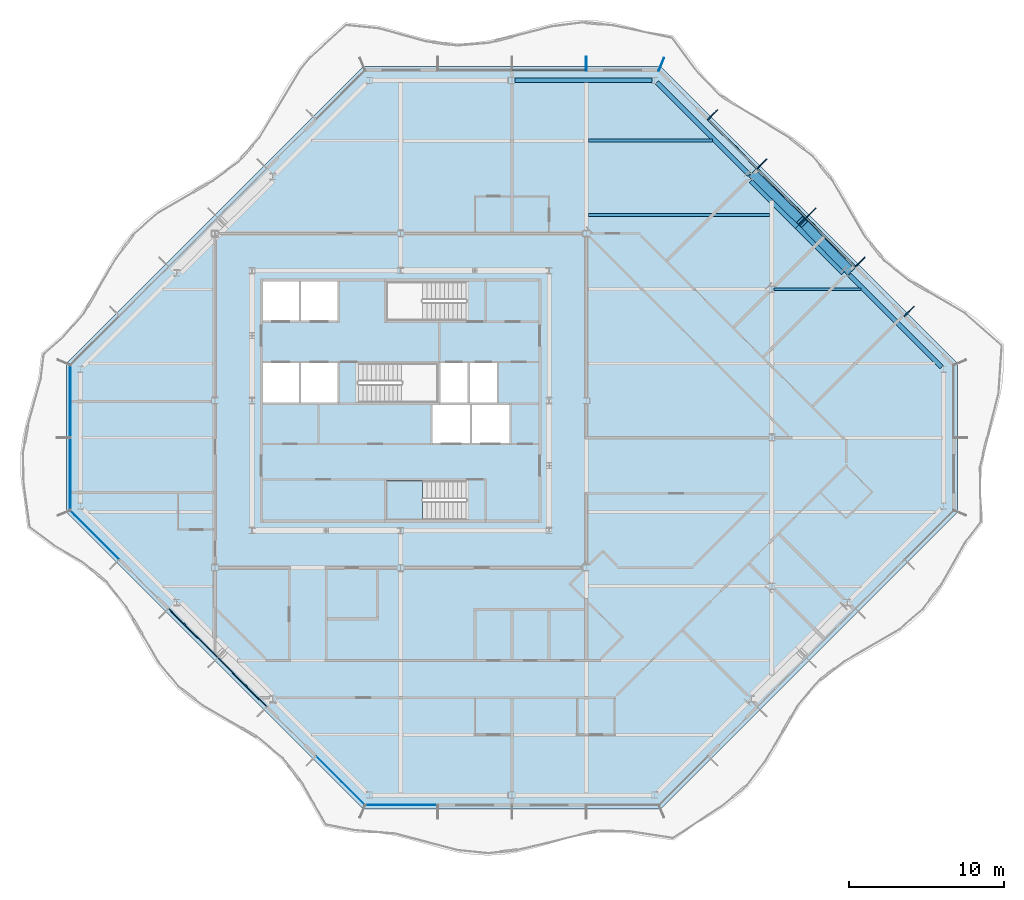
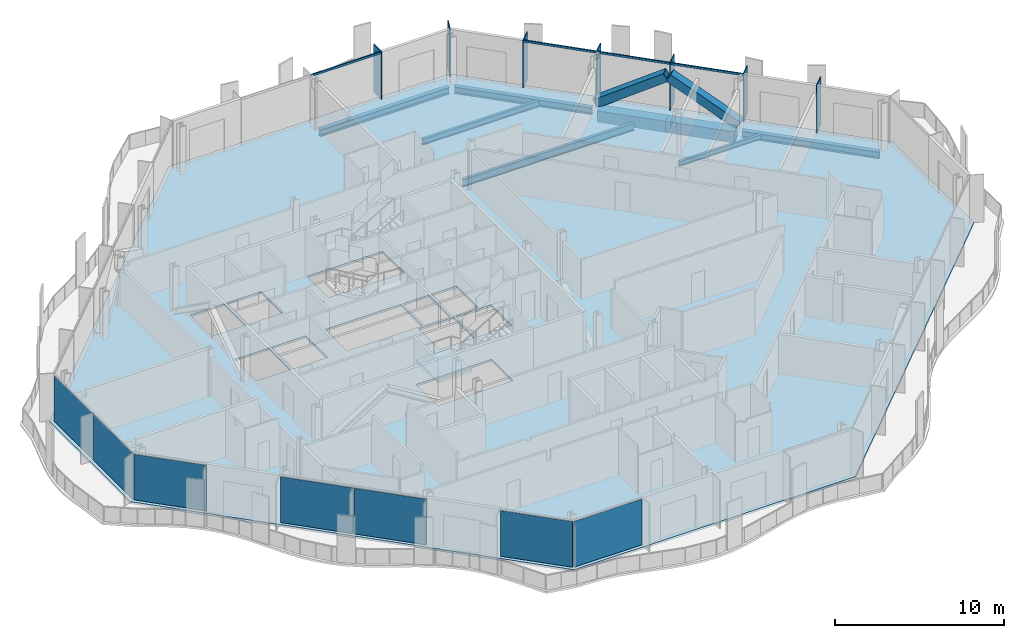
# One storey, part 5 of 17: 13 members, 8 beams, 7 plates, 2 slabs, 6 elements without a shape of their own.
"""IFC4 building model written with IfcOpenShell, lengths in metres."""

from ifc_helpers import new_model, si_unit, direction, frame, origin, origin_2d, place, context, subcontext, project, spatial, polyline, rectangle, hollow_rectangle, i_section, outline, extrude, material, layer, layer_set, material_profile, profile_set, type_object, element, aggregate, save


model = new_model("IFC4")

# Units and contexts
model_context = context("Model", 3, precision=1e-05, world=origin(), true_north=direction((0.0, 1.0)))
body_context = subcontext(model_context, "Body", "Model", "MODEL_VIEW")
ifc_project = project(units=[si_unit("LENGTHUNIT", "METRE"), si_unit("AREAUNIT", "SQUARE_METRE"), si_unit("VOLUMEUNIT", "CUBIC_METRE"), si_unit("PLANEANGLEUNIT", "RADIAN"), si_unit("MASSUNIT", "GRAM", prefix="KILO")], contexts=[model_context])

# Site, building, storey
site_placement = place(None, origin())
site = spatial("IfcSite", under=ifc_project, at=site_placement, CompositionType="ELEMENT")
building_placement = place(site_placement, origin())
building = spatial("IfcBuilding", under=site, at=building_placement, Name="Cairn Pilgrim Tower", CompositionType="ELEMENT")
storey_placement = place(building_placement, frame((0.0, 0.0, 214.199951171875)))
storey = spatial("IfcBuildingStorey", under=building, at=storey_placement, Name="L54", CompositionType="ELEMENT", Elevation=214.199951171875)

# Members
ifc_material_1 = material(Name="Structural steel S460M", Category="steel")
ifc_material_profile_1 = material_profile(ifc_material_1, hollow_rectangle(XDim=0.60009765625, YDim=0.60009765625, WallThickness=0.034912109375, at=origin_2d()), Name="BOX 600x600x35")
ifc_profile_set_1 = profile_set([ifc_material_profile_1], Name="Structural steel S460M")
member_type_1 = type_object("IfcMemberType", Name="BOX 600x600x35 BRACE", PredefinedType="BRACE", material=ifc_profile_set_1)
for number, where, z_axis, x_axis, name in (
    (1, (36.201416015625, 10.823974609375, 0.150146484375), (-0.594778373814, 0.610009201523, 0.523571828979), (-0.715988756584, -0.698111810848, 0.0), "XB-NE2-NE3-1"),
    (2, (30.02392578125, 17.00146484375, 0.150146484375), (0.610009201523, -0.594778373814, 0.523571828979), (0.698111810848, 0.715988756584, 0.0), "XB-NE2-NE3-2"),
):
    element("IfcMember", number, at=place(storey_placement, frame(where, z_axis=z_axis, x_axis=x_axis)), inside=storey, type_object=member_type_1, Name=name, PredefinedType="BRACE", context=body_context, shape_type="SweptSolid", body=[
        extrude(hollow_rectangle(XDim=0.60009765625, YDim=0.60009765625, WallThickness=0.034912109375, at=origin_2d()), origin(), (0.0, 0.0, 1.0), 5.033203125),
    ])

# Beams
ifc_material_2 = material(Name="Structural steel S355J2", Category="steel")
ifc_material_profile_2 = material_profile(ifc_material_2, hollow_rectangle(XDim=0.699951171875, YDim=0.800048828125, WallThickness=0.0400390625, at=origin_2d()), Name="BOX 700x800x40")
ifc_profile_set_2 = profile_set([ifc_material_profile_2], Name="Structural steel S355J2")
beam_type_1 = type_object("IfcBeamType", Name="BOX 700x800x40 RING GIRDER", PredefinedType="SPANDREL", material=ifc_profile_set_2)
beam_1_placement = place(storey_placement, frame((35.943359375, 10.78369140625, -0.550048828125), z_axis=(-0.707077813866, 0.707135747321, 0.0), x_axis=(-0.707135747321, -0.707077813866, 0.0)))
element("IfcBeam", 3, at=beam_1_placement, inside=storey, type_object=beam_type_1, Name="RG3-NE2-NE3-1", PredefinedType="SPANDREL", context=body_context, shape_type="SweptSolid", body=[
    extrude(hollow_rectangle(XDim=0.699951171875, YDim=0.800048828125, WallThickness=0.0400390625, at=origin_2d()), origin(), (0.0, 0.0, 1.0), 4.214111328125),
])
beam_2_placement = place(storey_placement, frame((32.963623046875, 13.763671875, -0.550048828125), z_axis=(-0.707106781187, 0.707106781187, 0.0), x_axis=(-0.707106781187, -0.707106781187, 0.0)))
element("IfcBeam", 4, at=beam_2_placement, inside=storey, type_object=beam_type_1, Name="RG3-NE2-NE3-2", PredefinedType="SPANDREL", context=body_context, shape_type="SweptSolid", body=[
    extrude(hollow_rectangle(XDim=0.699951171875, YDim=0.800048828125, WallThickness=0.0400390625, at=origin_2d()), origin(), (0.0, 0.0, 1.0), 4.2138671875),
])

# Curtain wall, members
ifc_material_3 = material(Name="Aluminium alloy 6063-T6 bronze anodised with Bronze tinted laminated low-E glass 8+16+8.8", Category="aluminium")
curtain_wall_type_1 = type_object("IfcCurtainWallType", Name="CHAMFER CORNER CURTAIN WALL", PredefinedType="NOTDEFINED", material=ifc_material_3)
curtain_wall_1_placement = place(storey_placement, origin())
curtain_wall_1 = element("IfcCurtainWall", 5, at=curtain_wall_1_placement, inside=storey, type_object=curtain_wall_type_1, Name="Chamfer Corner Curtain Wall NE", PredefinedType="NOTDEFINED")
ifc_material_4 = material(Name="Aluminium alloy 6063-T6 bronze anodised", Category="aluminium")
ifc_material_profile_3 = material_profile(ifc_material_4, rectangle(XDim=0.89990234375, YDim=0.06005859375, at=origin_2d()), Name="FIN MULLION 60x900 BRONZE")
ifc_profile_set_3 = profile_set([ifc_material_profile_3], Name="Aluminium alloy 6063-T6 bronze anodised")
member_type_2 = type_object("IfcMemberType", Name="FIN MULLION 60x900 BRONZE", PredefinedType="MULLION", material=ifc_profile_set_3)
member_1_placement = place(storey_placement, frame((40.0712890625, 8.1689453125, 0.0), z_axis=(0.0, 0.0, 1.0), x_axis=(0.707106781187, 0.707106781187, 0.0)))
member_1 = element("IfcMember", 6, at=member_1_placement, type_object=member_type_2, Name="Fin mullion NE2", PredefinedType="MULLION", context=body_context, shape_type="SweptSolid", body=[
    extrude(rectangle(XDim=0.89990234375, YDim=0.06005859375, at=origin_2d()), origin(), (0.0, 0.0, 1.0), 3.449951171875),
])
member_2_placement = place(storey_placement, frame((36.895751953125, 11.3447265625, 0.0), z_axis=(0.0, 0.0, 1.0), x_axis=(0.707106781187, 0.707106781187, 0.0)))
member_2 = element("IfcMember", 7, at=member_2_placement, type_object=member_type_2, Name="Fin mullion NE3", PredefinedType="MULLION", context=body_context, shape_type="SweptSolid", body=[
    extrude(rectangle(XDim=0.89990234375, YDim=0.06005859375, at=origin_2d()), origin(), (0.0, 0.0, 1.0), 3.449951171875),
])
member_3_placement = place(storey_placement, frame((33.72021484375, 14.520263671875, 0.0), z_axis=(0.0, 0.0, 1.0), x_axis=(0.707106781187, 0.707106781187, 0.0)))
member_3 = element("IfcMember", 8, at=member_3_placement, type_object=member_type_2, Name="Fin mullion NE4", PredefinedType="MULLION", context=body_context, shape_type="SweptSolid", body=[
    extrude(rectangle(XDim=0.89990234375, YDim=0.06005859375, at=origin_2d()), origin(), (0.0, 0.0, 1.0), 3.449951171875),
])
member_4_placement = place(storey_placement, frame((30.544677734375, 17.69580078125, 0.0), z_axis=(0.0, 0.0, 1.0), x_axis=(0.707106781187, 0.707106781187, 0.0)))
member_4 = element("IfcMember", 9, at=member_4_placement, type_object=member_type_2, Name="Fin mullion NE5", PredefinedType="MULLION", context=body_context, shape_type="SweptSolid", body=[
    extrude(rectangle(XDim=0.89990234375, YDim=0.06005859375, at=origin_2d()), origin(), (0.0, 0.0, 1.0), 3.449951171875),
])
member_5_placement = place(storey_placement, frame((27.369140625, 20.871337890625, 0.0), z_axis=(0.0, 0.0, 1.0), x_axis=(0.707106781187, 0.707106781187, 0.0)))
member_5 = element("IfcMember", 10, at=member_5_placement, type_object=member_type_2, Name="Fin mullion NE6", PredefinedType="MULLION", context=body_context, shape_type="SweptSolid", body=[
    extrude(rectangle(XDim=0.89990234375, YDim=0.06005859375, at=origin_2d()), origin(), (0.0, 0.0, 1.0), 3.449951171875),
])

curtain_wall_type_2 = type_object("IfcCurtainWallType", Name="TOWER STICK CURTAIN WALL NS", PredefinedType="NOTDEFINED", material=ifc_material_3)
curtain_wall_2_placement = place(storey_placement, origin())
curtain_wall_2 = element("IfcCurtainWall", 11, at=curtain_wall_2_placement, inside=storey, type_object=curtain_wall_type_2, Name="Tower Stick Curtain Wall Ns N", PredefinedType="NOTDEFINED")
member_6_placement = place(storey_placement, frame((24.05712890625, 24.137939453125, 0.0), z_axis=(0.0, 0.0, 1.0), x_axis=(0.382683432365, 0.923879532511, 0.0)))
member_6 = element("IfcMember", 12, at=member_6_placement, type_object=member_type_2, Name="Fin mullion N1", PredefinedType="MULLION", context=body_context, shape_type="SweptSolid", body=[
    extrude(rectangle(XDim=0.89990234375, YDim=0.06005859375, at=origin_2d()), origin(), (0.0, 0.0, 1.0), 3.449951171875),
])
member_7_placement = place(storey_placement, frame((19.199951171875, 24.169921875, 0.0), z_axis=(0.0, 0.0, 1.0), x_axis=(0.0, 1.0, 0.0)))
member_7 = element("IfcMember", 13, at=member_7_placement, type_object=member_type_2, Name="Fin mullion N2", PredefinedType="MULLION", context=body_context, shape_type="SweptSolid", body=[
    extrude(rectangle(XDim=0.89990234375, YDim=0.06005859375, at=origin_2d()), origin(), (0.0, 0.0, 1.0), 3.449951171875),
])

# Beams
ifc_material_profile_4 = material_profile(ifc_material_2, i_section(OverallWidth=0.300048828125, OverallDepth=0.5, WebThickness=0.014404296875, FlangeThickness=0.028076171875, FilletRadius=0.027099609375, at=origin_2d()), Name="HEB 500")
ifc_profile_set_4 = profile_set([ifc_material_profile_4], Name="Structural steel S355J2")
beam_type_2 = type_object("IfcBeamType", Name="HEB 500 RING GIRDER", PredefinedType="SPANDREL", material=ifc_profile_set_4)
for number, where, z_axis, x_axis, name in (
    (14, (42.16748046875, 4.5595703125, -0.39990234375), (-0.707106781187, 0.707106781187, 0.0), (-0.707106781187, -0.707106781187, 0.0), "RG3-NE1-NE2"),
    (15, (29.718994140625, 17.008056640625, -0.39990234375), (-0.707106781187, 0.707106781187, 0.0), (-0.707106781187, -0.707106781187, 0.0), "RG3-NE3-N1"),
):
    element("IfcBeam", number, at=place(storey_placement, frame(where, z_axis=z_axis, x_axis=x_axis)), inside=storey, type_object=beam_type_2, Name=name, PredefinedType="SPANDREL", context=body_context, shape_type="SweptSolid", body=[
        extrude(i_section(OverallWidth=0.300048828125, OverallDepth=0.5, WebThickness=0.014404296875, FlangeThickness=0.028076171875, FilletRadius=0.027099609375, at=origin_2d()), origin(), (0.0, 0.0, 1.0), 8.427978515625),
    ])
beam_3_placement = place(storey_placement, frame((23.43994140625, 23.10009765625, -0.39990234375), z_axis=(-1.0, 0.0, 0.0), x_axis=(0.0, -1.0, 0.0)))
element("IfcBeam", 16, at=beam_3_placement, inside=storey, type_object=beam_type_2, Name="RG3-N1-N2", PredefinedType="SPANDREL", context=body_context, shape_type="SweptSolid", body=[
    extrude(i_section(OverallWidth=0.300048828125, OverallDepth=0.5, WebThickness=0.014404296875, FlangeThickness=0.028076171875, FilletRadius=0.027099609375, at=origin_2d()), origin(), (0.0, 0.0, 1.0), 8.852783203125),
])
ifc_material_profile_5 = material_profile(ifc_material_2, i_section(OverallWidth=0.169921875, OverallDepth=0.360107421875, WebThickness=0.008056640625, FlangeThickness=0.0126953125, FilletRadius=0.01806640625, at=origin_2d()), Name="IPE 360")
ifc_profile_set_5 = profile_set([ifc_material_profile_5], Name="Structural steel S355J2")
beam_type_3 = type_object("IfcBeamType", Name="IPE 360 SECONDARY BEAM", PredefinedType="JOIST", material=ifc_profile_set_5)
beam_4_placement = place(storey_placement, frame((31.35009765625, 9.60009765625, -0.329833984375), z_axis=(1.0, 0.0, 0.0), x_axis=(0.0, 1.0, 0.0)))
element("IfcBeam", 17, at=beam_4_placement, inside=storey, type_object=beam_type_3, Name="SB7-3", PredefinedType="JOIST", context=body_context, shape_type="SweptSolid", body=[
    extrude(i_section(OverallWidth=0.169921875, OverallDepth=0.360107421875, WebThickness=0.008056640625, FlangeThickness=0.0126953125, FilletRadius=0.01806640625, at=origin_2d()), origin(), (0.0, 0.0, 1.0), 5.594970703125),
])
ifc_material_profile_6 = material_profile(ifc_material_2, i_section(OverallWidth=0.18994140625, OverallDepth=0.449951171875, WebThickness=0.009521484375, FlangeThickness=0.0146484375, FilletRadius=0.02099609375, at=origin_2d()), Name="IPE 450")
ifc_profile_set_6 = profile_set([ifc_material_profile_6], Name="Structural steel S355J2")
beam_type_4 = type_object("IfcBeamType", Name="IPE 450 SECONDARY BEAM", PredefinedType="JOIST", material=ifc_profile_set_6)
beam_5_placement = place(storey_placement, frame((19.35009765625, 19.199951171875, -0.375), z_axis=(1.0, 0.0, 0.0), x_axis=(0.0, 1.0, 0.0)))
element("IfcBeam", 18, at=beam_5_placement, inside=storey, type_object=beam_type_4, Name="SB9-3", PredefinedType="JOIST", context=body_context, shape_type="SweptSolid", body=[
    extrude(i_section(OverallWidth=0.18994140625, OverallDepth=0.449951171875, WebThickness=0.009521484375, FlangeThickness=0.0146484375, FilletRadius=0.02099609375, at=origin_2d()), origin(), (0.0, 0.0, 1.0), 7.9951171875),
])
ifc_material_profile_7 = material_profile(ifc_material_2, i_section(OverallWidth=0.2099609375, OverallDepth=0.550048828125, WebThickness=0.010986328125, FlangeThickness=0.01708984375, FilletRadius=0.02392578125, at=origin_2d()), Name="IPE 550")
ifc_profile_set_7 = profile_set([ifc_material_profile_7], Name="Structural steel S355J2")
beam_type_5 = type_object("IfcBeamType", Name="IPE 550 SECONDARY BEAM", PredefinedType="JOIST", material=ifc_profile_set_7)
beam_6_placement = place(storey_placement, frame((19.35009765625, 14.39990234375, -0.425048828125), z_axis=(1.0, 0.0, 0.0), x_axis=(0.0, 1.0, 0.0)))
element("IfcBeam", 19, at=beam_6_placement, inside=storey, type_object=beam_type_5, Name="SB8-1", PredefinedType="JOIST", context=body_context, shape_type="SweptSolid", body=[
    extrude(i_section(OverallWidth=0.2099609375, OverallDepth=0.550048828125, WebThickness=0.010986328125, FlangeThickness=0.01708984375, FilletRadius=0.02392578125, at=origin_2d()), origin(), (0.0, 0.0, 1.0), 11.699951171875),
])

# Member
ifc_material_profile_8 = material_profile(ifc_material_4, rectangle(XDim=0.080078125, YDim=0.14990234375, at=origin_2d()), Name="TRANSOM 80x150 BRONZE")
ifc_profile_set_8 = profile_set([ifc_material_profile_8], Name="Aluminium alloy 6063-T6 bronze anodised")
member_type_3 = type_object("IfcMemberType", Name="TRANSOM 80x150 BRONZE", PredefinedType="USERDEFINED", material=ifc_profile_set_8)
member_8_placement = place(storey_placement, frame((36.57763671875, 11.06884765625, 3.375), z_axis=(-0.707134329907, 0.707079231393, 0.0), x_axis=(-0.707079231393, -0.707134329907, 0.0)))
member_8 = element("IfcMember", 20, at=member_8_placement, type_object=member_type_3, Name="Transom NE3", ObjectType="TRANSOM", PredefinedType="USERDEFINED", context=body_context, shape_type="SweptSolid", body=[
    extrude(rectangle(XDim=0.080078125, YDim=0.14990234375, at=origin_2d()), origin(), (0.0, 0.0, 1.0), 4.430908203125),
])

member_9_placement = place(storey_placement, frame((33.402099609375, 14.244384765625, 3.375), z_axis=(-0.707106781187, 0.707106781187, 0.0), x_axis=(-0.707106781187, -0.707106781187, 0.0)))
member_9 = element("IfcMember", 21, at=member_9_placement, type_object=member_type_3, Name="Transom NE4", ObjectType="TRANSOM", PredefinedType="USERDEFINED", context=body_context, shape_type="SweptSolid", body=[
    extrude(rectangle(XDim=0.080078125, YDim=0.14990234375, at=origin_2d()), origin(), (0.0, 0.0, 1.0), 4.43115234375),
])

member_10_placement = place(storey_placement, frame((30.226318359375, 17.419921875, 3.375), z_axis=(-0.707079231393, 0.707134329907, 0.0), x_axis=(-0.707134329907, -0.707079231393, 0.0)))
member_10 = element("IfcMember", 22, at=member_10_placement, type_object=member_type_3, Name="Transom NE5", ObjectType="TRANSOM", PredefinedType="USERDEFINED", context=body_context, shape_type="SweptSolid", body=[
    extrude(rectangle(XDim=0.080078125, YDim=0.14990234375, at=origin_2d()), origin(), (0.0, 0.0, 1.0), 4.430908203125),
])

aggregate(curtain_wall_1, [member_1, member_2, member_3, member_4, member_5, member_8, member_9, member_10])

member_11_placement = place(storey_placement, frame((19.169921875, 23.75, 3.375), z_axis=(-1.0, 0.0, 0.0), x_axis=(0.0, -1.0, 0.0)))
member_11 = element("IfcMember", 23, at=member_11_placement, type_object=member_type_3, Name="Transom N2", ObjectType="TRANSOM", PredefinedType="USERDEFINED", context=body_context, shape_type="SweptSolid", body=[
    extrude(rectangle(XDim=0.080078125, YDim=0.14990234375, at=origin_2d()), origin(), (0.0, 0.0, 1.0), 4.739990234375),
])

aggregate(curtain_wall_2, [member_6, member_7, member_11])

# Slab
ifc_material_5 = material(Name="Concrete C35/45", Category="concrete")
ifc_layer_1 = layer(ifc_material_5, 0.14990234375)
ifc_layer_set_1 = layer_set([ifc_layer_1], Name="COMPOSITE FLOOR SLAB 150")
slab_type_1 = type_object("IfcSlabType", Name="COMPOSITE FLOOR SLAB 150", PredefinedType="FLOOR", material=ifc_layer_set_1)
slab_1_placement = place(storey_placement, frame((0.0, 0.0, -0.14990234375)))
element("IfcSlab", 24, at=slab_1_placement, inside=storey, type_object=slab_type_1, Name="FLOOR SLAB L54", PredefinedType="FLOOR", context=body_context, shape_type="SweptSolid", body=[
    extrude(outline(polyline([(4.800048828125, -24.0), (24.0, -24.0), (43.199951171875, -4.800048828125), (43.199951171875, 4.800048828125), (24.0, 24.0), (4.800048828125, 24.0), (-14.39990234375, 4.800048828125), (-14.39990234375, -4.800048828125), (4.800048828125, -24.0)]), holes=[polyline([(9.27490234375, -0.324951171875), (11.675048828125, -0.324951171875), (11.675048828125, 2.125), (9.27490234375, 2.125), (9.27490234375, -0.324951171875)]), polyline([(11.824951171875, -0.324951171875), (14.22509765625, -0.324951171875), (14.22509765625, 2.125), (11.824951171875, 2.125), (11.824951171875, -0.324951171875)]), polyline([(-1.72509765625, 2.27490234375), (0.625, 2.27490234375), (0.625, 4.824951171875), (-1.72509765625, 4.824951171875), (-1.72509765625, 2.27490234375)]), polyline([(0.77490234375, 2.27490234375), (3.125, 2.27490234375), (3.125, 4.824951171875), (0.77490234375, 4.824951171875), (0.77490234375, 2.27490234375)]), polyline([(-1.72509765625, 7.574951171875), (0.625, 7.574951171875), (0.625, 10.10009765625), (-1.72509765625, 10.10009765625), (-1.72509765625, 7.574951171875)]), polyline([(0.77490234375, 7.574951171875), (3.125, 7.574951171875), (3.125, 10.10009765625), (0.77490234375, 10.10009765625), (0.77490234375, 7.574951171875)]), polyline([(9.77490234375, 2.27490234375), (11.52490234375, 2.27490234375), (11.52490234375, 4.824951171875), (9.77490234375, 4.824951171875), (9.77490234375, 2.27490234375)]), polyline([(11.675048828125, 2.27490234375), (13.425048828125, 2.27490234375), (13.425048828125, 4.824951171875), (11.675048828125, 4.824951171875), (11.675048828125, 2.27490234375)]), polyline([(11.424560546875, -2.77490234375), (6.27490234375, -2.77490234375), (6.27490234375, -5.300048828125), (11.424560546875, -5.300048828125), (11.424560546875, -2.77490234375)]), polyline([(4.4755859375, 2.27490234375), (9.625, 2.27490234375), (9.625, 4.824951171875), (4.4755859375, 4.824951171875), (4.4755859375, 2.27490234375)]), polyline([(11.424560546875, 10.10009765625), (6.27490234375, 10.10009765625), (6.27490234375, 7.574951171875), (11.424560546875, 7.574951171875), (11.424560546875, 10.10009765625)])]), origin(), (0.0, 0.0, 1.0), 0.14990234375),
])

# Curtain wall, plates
curtain_wall_3_placement = place(storey_placement, origin())
curtain_wall_3 = element("IfcCurtainWall", 25, at=curtain_wall_3_placement, inside=storey, type_object=curtain_wall_type_1, Name="Chamfer Corner Curtain Wall SW", PredefinedType="NOTDEFINED")
ifc_material_6 = material(Name="Bronze anodised aluminium spandrel panel with mineral wool insulation", Category="aluminium")
ifc_layer_2 = layer(ifc_material_6, 0.06005859375)
ifc_layer_set_2 = layer_set([ifc_layer_2], Name="SPANDREL PANEL 4431x3300")
plate_type_1 = type_object("IfcPlateType", Name="SPANDREL PANEL 4431x3300", PredefinedType="CURTAIN_PANEL", material=ifc_layer_set_2)
plate_1_placement = place(storey_placement, frame((-6.2109375, -12.635498046875, 0.0), z_axis=(0.0, 0.0, 1.0), x_axis=(0.707106781187, -0.707106781187, 0.0)))
plate_1 = element("IfcPlate", 26, at=plate_1_placement, type_object=plate_type_1, Name="Spandrel Panel SW3-1", PredefinedType="CURTAIN_PANEL", context=body_context, shape_type="SweptSolid", body=[
    extrude(rectangle(XDim=4.430908203125, YDim=0.06005859375, at=origin_2d()), origin(), (0.0, 0.0, 1.0), 3.300048828125),
])
plate_2_placement = place(storey_placement, frame((-3.035400390625, -15.81103515625, 0.0), z_axis=(0.0, 0.0, 1.0), x_axis=(0.707106781187, -0.707106781187, 0.0)))
plate_2 = element("IfcPlate", 27, at=plate_2_placement, type_object=plate_type_1, Name="Spandrel Panel SW4-1", PredefinedType="CURTAIN_PANEL", context=body_context, shape_type="SweptSolid", body=[
    extrude(rectangle(XDim=4.430908203125, YDim=0.06005859375, at=origin_2d()), origin(), (0.0, 0.0, 1.0), 3.300048828125),
])

# Stair, slab
ifc_material_7 = material(Name="Concrete C32/40", Category="concrete")
stair_type = type_object("IfcStairType", Name="EXIT STAIR 1200", PredefinedType="HALF_TURN_STAIR", material=ifc_material_7)
stair_placement = place(storey_placement, origin())
stair = element("IfcStair", 28, at=stair_placement, inside=storey, type_object=stair_type, Name="L54 Exit Stair A", PredefinedType="HALF_TURN_STAIR")
ifc_layer_3 = layer(ifc_material_7, 0.199951171875)
ifc_layer_set_3 = layer_set([ifc_layer_3], Name="STAIR LANDING 200")
slab_type_2 = type_object("IfcSlabType", Name="STAIR LANDING 200", PredefinedType="LANDING", material=ifc_layer_set_3)
slab_2_placement = place(storey_placement, frame((0.0, 0.0, 1.60009765625)))
slab_2 = element("IfcSlab", 29, at=slab_2_placement, type_object=slab_type_2, Name="ST-A landing 1", PredefinedType="LANDING", context=body_context, shape_type="SweptSolid", body=[
    extrude(outline(polyline([(8.625, -2.77490234375), (6.27490234375, -2.77490234375), (6.27490234375, -5.300048828125), (8.625, -5.300048828125), (8.625, -2.77490234375)])), origin(), (0.0, 0.0, 1.0), 0.199951171875),
])
aggregate(stair, [slab_2])

# Plate
ifc_material_8 = material(Name="Bronze tinted laminated low-E glass 8+16+8.8", Category="glass")
ifc_layer_4 = layer(ifc_material_8, 0.033935546875)
ifc_layer_set_4 = layer_set([ifc_layer_4], Name="VISION GLAZING 4421x3300")
plate_type_2 = type_object("IfcPlateType", Name="VISION GLAZING 4421x3300", PredefinedType="CURTAIN_PANEL", material=ifc_layer_set_4)
plate_3_placement = place(storey_placement, frame((-12.55859375, -6.287841796875, 0.0), z_axis=(0.0, 0.0, 1.0), x_axis=(0.707106781187, -0.707106781187, 0.0)))
plate_3 = element("IfcPlate", 30, at=plate_3_placement, type_object=plate_type_2, Name="Vision Glazing SW1-1", PredefinedType="CURTAIN_PANEL", context=body_context, shape_type="SweptSolid", body=[
    extrude(rectangle(XDim=4.4208984375, YDim=0.033935546875, at=origin_2d()), origin(), (0.0, 0.0, 1.0), 3.300048828125),
])

plate_4_placement = place(storey_placement, frame((3.312255859375, -22.15869140625, 0.0), z_axis=(0.0, 0.0, 1.0), x_axis=(0.707106781187, -0.707106781187, 0.0)))
plate_4 = element("IfcPlate", 31, at=plate_4_placement, type_object=plate_type_2, Name="Vision Glazing SW6-1", PredefinedType="CURTAIN_PANEL", context=body_context, shape_type="SweptSolid", body=[
    extrude(rectangle(XDim=4.4208984375, YDim=0.033935546875, at=origin_2d()), origin(), (0.0, 0.0, 1.0), 3.300048828125),
])

aggregate(curtain_wall_3, [plate_3, plate_1, plate_2, plate_4])

# Curtain wall, plate
curtain_wall_4_placement = place(storey_placement, origin())
curtain_wall_4 = element("IfcCurtainWall", 32, at=curtain_wall_4_placement, inside=storey, type_object=curtain_wall_type_2, Name="Tower Stick Curtain Wall Ns S", PredefinedType="NOTDEFINED")
ifc_layer_5 = layer(ifc_material_8, 0.033935546875)
ifc_layer_set_5 = layer_set([ifc_layer_5], Name="VISION GLAZING 4626x3300")
plate_type_3 = type_object("IfcPlateType", Name="VISION GLAZING 4626x3300", PredefinedType="CURTAIN_PANEL", material=ifc_layer_set_5)
plate_5_placement = place(storey_placement, frame((7.2568359375, -23.75, 0.0), z_axis=(0.0, 0.0, 1.0), x_axis=(1.0, 0.0, 0.0)))
plate_5 = element("IfcPlate", 33, at=plate_5_placement, type_object=plate_type_3, Name="Vision Glazing S1-1", PredefinedType="CURTAIN_PANEL", context=body_context, shape_type="SweptSolid", body=[
    extrude(rectangle(XDim=4.62646484375, YDim=0.033935546875, at=origin_2d()), origin(), (0.0, 0.0, 1.0), 3.300048828125),
])
aggregate(curtain_wall_4, [plate_5])

# Curtain wall, plates
curtain_wall_type_3 = type_object("IfcCurtainWallType", Name="TOWER STICK CURTAIN WALL EW", PredefinedType="NOTDEFINED", material=ifc_material_3)
curtain_wall_5_placement = place(storey_placement, origin())
curtain_wall_5 = element("IfcCurtainWall", 34, at=curtain_wall_5_placement, inside=storey, type_object=curtain_wall_type_3, Name="Tower Stick Curtain Wall Ew W", PredefinedType="NOTDEFINED")
plate_6_placement = place(storey_placement, frame((-14.14990234375, 2.34326171875, 0.0), z_axis=(0.0, 0.0, 1.0), x_axis=(0.0, -1.0, 0.0)))
plate_6 = element("IfcPlate", 35, at=plate_6_placement, type_object=plate_type_3, Name="Vision Glazing W1-1", PredefinedType="CURTAIN_PANEL", context=body_context, shape_type="SweptSolid", body=[
    extrude(rectangle(XDim=4.62646484375, YDim=0.033935546875, at=origin_2d()), origin(), (0.0, 0.0, 1.0), 3.300048828125),
])
plate_7_placement = place(storey_placement, frame((-14.14990234375, -2.34326171875, 0.0), z_axis=(0.0, 0.0, 1.0), x_axis=(0.0, -1.0, 0.0)))
plate_7 = element("IfcPlate", 36, at=plate_7_placement, type_object=plate_type_3, Name="Vision Glazing W2-1", PredefinedType="CURTAIN_PANEL", context=body_context, shape_type="SweptSolid", body=[
    extrude(rectangle(XDim=4.62646484375, YDim=0.033935546875, at=origin_2d()), origin(), (0.0, 0.0, 1.0), 3.300048828125),
])
aggregate(curtain_wall_5, [plate_6, plate_7])

save(model, "model.ifc")
